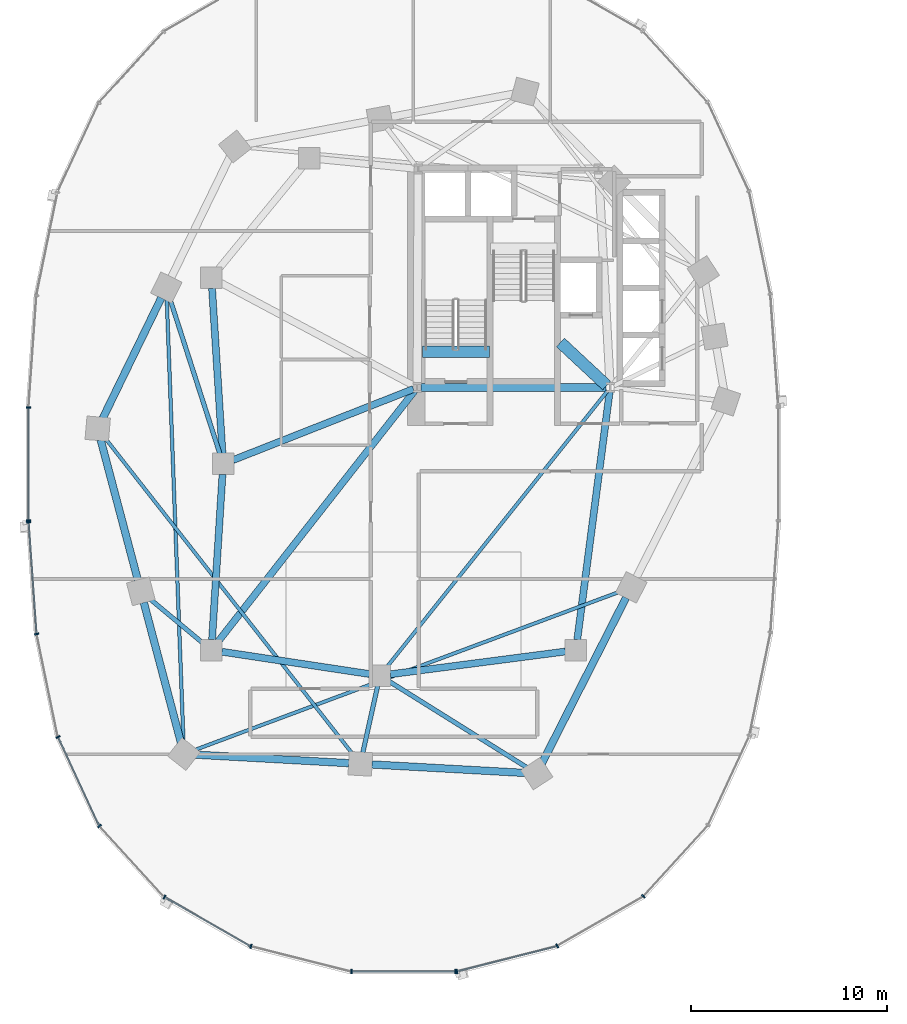
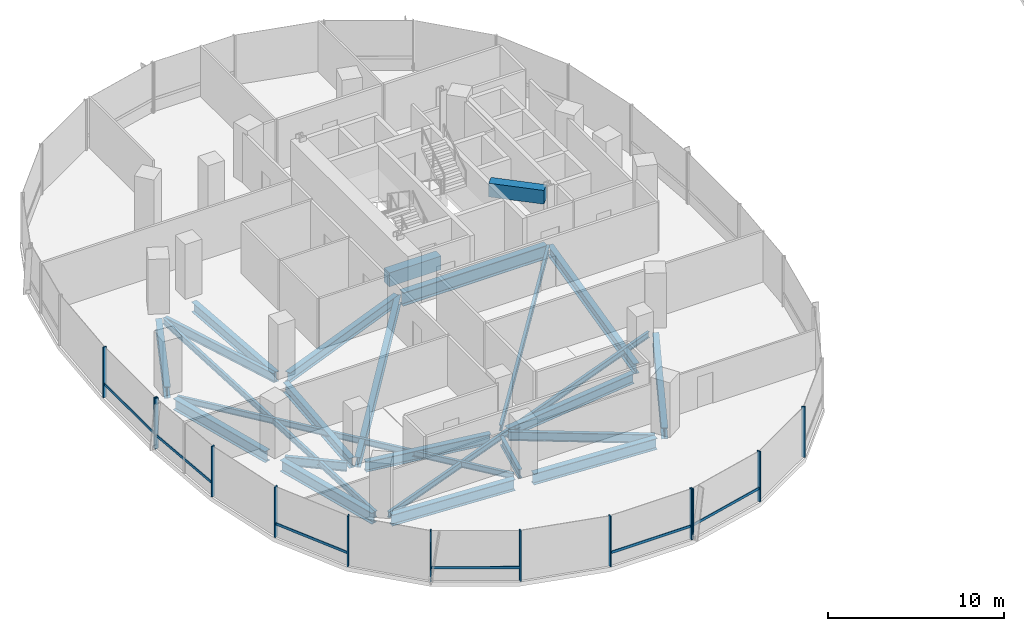
# One storey, part 2 of 21: 24 beams, 19 members, 3 elements without a shape of their own.
"""IFC4 building model written with IfcOpenShell, lengths in metres."""

from ifc_helpers import new_model, si_unit, direction, frame, origin, origin_2d, place, context, subcontext, project, spatial, rectangle, i_section, extrude, material, material_profile, profile_set, type_object, element, aggregate, save


model = new_model("IFC4")

# Units and contexts
model_context = context("Model", 3, precision=1e-05, world=origin(), true_north=direction((0.0, 1.0)))
body_context = subcontext(model_context, "Body", "Model", "MODEL_VIEW")
ifc_project = project(units=[si_unit("LENGTHUNIT", "METRE"), si_unit("AREAUNIT", "SQUARE_METRE"), si_unit("VOLUMEUNIT", "CUBIC_METRE"), si_unit("PLANEANGLEUNIT", "RADIAN"), si_unit("MASSUNIT", "GRAM", prefix="KILO"), si_unit("THERMODYNAMICTEMPERATUREUNIT", "KELVIN"), si_unit("POWERUNIT", "WATT")], contexts=[model_context])

# Site, building, storey
site_placement = place(None, origin())
site = spatial("IfcSite", under=ifc_project, at=site_placement, CompositionType="ELEMENT")
building_placement = place(site_placement, origin())
building = spatial("IfcBuilding", under=site, at=building_placement, Name="Cundina Bronze Exchange", CompositionType="ELEMENT")
storey_placement = place(building_placement, frame((0.0, 0.0, 58.199951171875)))
storey = spatial("IfcBuildingStorey", under=building, at=storey_placement, Name="L14", CompositionType="ELEMENT", Elevation=58.199951171875)

# Beams
ifc_material_1 = material(Name="Concrete C60/75", Category="concrete")
ifc_material_profile_1 = material_profile(ifc_material_1, rectangle(XDim=0.60009765625, YDim=0.949951171875, at=origin_2d()), Name="RC600X950", Category="concrete")
ifc_profile_set_1 = profile_set([ifc_material_profile_1], Name="Concrete C60/75")
beam_type_1 = type_object("IfcBeamType", Name="BM-COUP-RC950", PredefinedType="LINTEL", material=ifc_profile_set_1)
beam_1_placement = place(storey_placement, frame((-31.02001953125, 5.719970703125, -0.474853515625), z_axis=(1.0, 0.0, 0.0), x_axis=(0.0, 1.0, 0.0)))
element("IfcBeam", 1, at=beam_1_placement, inside=storey, type_object=beam_type_1, Name="L14 Stair W1 Landing Header Beam", PredefinedType="LINTEL", context=body_context, shape_type="SweptSolid", body=[
    extrude(rectangle(XDim=0.60009765625, YDim=0.949951171875, at=origin_2d()), origin(), (0.0, 0.0, 1.0), 3.39990234375),
])
beam_2_placement = place(storey_placement, frame((-23.989990234375, 6.199951171875, 3.025146484375), z_axis=(0.731490439815, -0.681851696822, 0.0), x_axis=(0.681851696822, 0.731490439815, 0.0)))
element("IfcBeam", 2, at=beam_2_placement, inside=storey, type_object=beam_type_1, Name="L14 W Core Shear Coupling Lintel Beam", PredefinedType="LINTEL", context=body_context, shape_type="SweptSolid", body=[
    extrude(rectangle(XDim=0.60009765625, YDim=0.949951171875, at=origin_2d()), origin(), (0.0, 0.0, 1.0), 3.226318359375),
])
ifc_material_2 = material(Name="Steel ASTM A992 Grade 50", Category="steel")
ifc_material_profile_2 = material_profile(ifc_material_2, i_section(OverallWidth=0.22998046875, OverallDepth=0.616943359375, WebThickness=0.01318359375, FlangeThickness=0.022216796875, FilletRadius=0.013916015625, at=origin_2d()), Name="W24X94", Category="steel")
ifc_profile_set_2 = profile_set([ifc_material_profile_2], Name="Steel ASTM A992 Grade 50")
beam_type_2 = type_object("IfcBeamType", Name="BM-FLR-W24B", PredefinedType="BEAM", material=ifc_profile_set_2)
beam_3_placement = place(storey_placement, frame((-41.364990234375, 0.51220703125, -0.6083984375), z_axis=(-0.306706454167, 0.951804155787, 0.0), x_axis=(-0.951804155787, -0.306706454167, 0.0)))
element("IfcBeam", 3, at=beam_3_placement, inside=storey, type_object=beam_type_2, Name="L14 Leg W Radial Floor Beam 07", PredefinedType="BEAM", context=body_context, shape_type="SweptSolid", body=[
    extrude(i_section(OverallWidth=0.22998046875, OverallDepth=0.616943359375, WebThickness=0.01318359375, FlangeThickness=0.022216796875, FilletRadius=0.013916015625, at=origin_2d()), origin(), (0.0, 0.0, 1.0), 8.329345703125),
])
beam_4_placement = place(storey_placement, frame((-42.21337890625, -9.155517578125, -0.6083984375), z_axis=(-0.768221279597, 0.640184399664, 0.0), x_axis=(-0.640184399664, -0.768221279597, 0.0)))
element("IfcBeam", 4, at=beam_4_placement, inside=storey, type_object=beam_type_2, Name="L14 Leg W Radial Floor Beam 09", PredefinedType="BEAM", context=body_context, shape_type="SweptSolid", body=[
    extrude(i_section(OverallWidth=0.22998046875, OverallDepth=0.616943359375, WebThickness=0.01318359375, FlangeThickness=0.022216796875, FilletRadius=0.013916015625, at=origin_2d()), origin(), (0.0, 0.0, 1.0), 3.56005859375),
])
beam_5_placement = place(storey_placement, frame((-33.316650390625, -11.3251953125, -0.6083984375), z_axis=(-0.216960137628, -0.976180464197, 0.0), x_axis=(0.976180464197, -0.216960137628, 0.0)))
element("IfcBeam", 5, at=beam_5_placement, inside=storey, type_object=beam_type_2, Name="L14 Leg W Radial Floor Beam 11", PredefinedType="BEAM", context=body_context, shape_type="SweptSolid", body=[
    extrude(i_section(OverallWidth=0.22998046875, OverallDepth=0.616943359375, WebThickness=0.01318359375, FlangeThickness=0.022216796875, FilletRadius=0.013916015625, at=origin_2d()), origin(), (0.0, 0.0, 1.0), 3.48388671875),
])
beam_6_placement = place(storey_placement, frame((-32.743896484375, -11.085205078125, -0.6083984375), z_axis=(0.848014812458, -0.529972525563, 0.0), x_axis=(0.529972525563, 0.848014812458, 0.0)))
element("IfcBeam", 6, at=beam_6_placement, inside=storey, type_object=beam_type_2, Name="L14 Leg W Radial Floor Beam 12", PredefinedType="BEAM", context=body_context, shape_type="SweptSolid", body=[
    extrude(i_section(OverallWidth=0.22998046875, OverallDepth=0.616943359375, WebThickness=0.01318359375, FlangeThickness=0.022216796875, FilletRadius=0.013916015625, at=origin_2d()), origin(), (0.0, 0.0, 1.0), 8.30810546875),
])
ifc_material_profile_3 = material_profile(ifc_material_2, i_section(OverallWidth=0.178955078125, OverallDepth=0.409912109375, WebThickness=0.0087890625, FlangeThickness=0.014404296875, FilletRadius=0.010986328125, at=origin_2d()), Name="W16X45", Category="steel")
ifc_profile_set_3 = profile_set([ifc_material_profile_3], Name="Steel ASTM A992 Grade 50")
beam_type_3 = type_object("IfcBeamType", Name="BM-JST-W16", PredefinedType="JOIST", material=ifc_profile_set_3)
beam_7_placement = place(storey_placement, frame((-21.577392578125, 3.740478515625, -0.5048828125), z_axis=(-0.62436887964, -0.781129632095, 0.0), x_axis=(0.781129632095, -0.62436887964, 0.0)))
element("IfcBeam", 7, at=beam_7_placement, inside=storey, type_object=beam_type_3, Name="L14 W Interior Core-to-Ring Joist 2", PredefinedType="JOIST", context=body_context, shape_type="SweptSolid", body=[
    extrude(i_section(OverallWidth=0.178955078125, OverallDepth=0.409912109375, WebThickness=0.0087890625, FlangeThickness=0.014404296875, FilletRadius=0.010986328125, at=origin_2d()), origin(), (0.0, 0.0, 1.0), 18.076904296875),
])
beam_8_placement = place(storey_placement, frame((-44.077880859375, 8.412353515625, -0.5048828125), z_axis=(0.037794949147, -0.999285515666, 0.0), x_axis=(0.999285515666, 0.037794949147, 0.0)))
element("IfcBeam", 8, at=beam_8_placement, inside=storey, type_object=beam_type_3, Name="L14 Leg W Lobe Floor Joist 07-10", PredefinedType="JOIST", context=body_context, shape_type="SweptSolid", body=[
    extrude(i_section(OverallWidth=0.178955078125, OverallDepth=0.409912109375, WebThickness=0.0087890625, FlangeThickness=0.014404296875, FilletRadius=0.010986328125, at=origin_2d()), origin(), (0.0, 0.0, 1.0), 22.640869140625),
])
beam_9_placement = place(storey_placement, frame((-47.2373046875, 1.337158203125, -0.5048828125), z_axis=(0.616803089524, -0.787117493614, 0.0), x_axis=(0.787117493614, 0.616803089524, 0.0)))
element("IfcBeam", 9, at=beam_9_placement, inside=storey, type_object=beam_type_3, Name="L14 Leg W Lobe Floor Joist 08-11", PredefinedType="JOIST", context=body_context, shape_type="SweptSolid", body=[
    extrude(i_section(OverallWidth=0.178955078125, OverallDepth=0.409912109375, WebThickness=0.0087890625, FlangeThickness=0.014404296875, FilletRadius=0.010986328125, at=origin_2d()), origin(), (0.0, 0.0, 1.0), 20.548828125),
])
beam_10_placement = place(storey_placement, frame((-42.64892578125, -14.5947265625, -0.5048828125), z_axis=(0.937127912449, 0.348986068074, 0.0), x_axis=(-0.348986068074, 0.937127912449, 0.0)))
element("IfcBeam", 10, at=beam_10_placement, inside=storey, type_object=beam_type_3, Name="L14 Leg W Lobe Floor Joist 10-13", PredefinedType="JOIST", context=body_context, shape_type="SweptSolid", body=[
    extrude(i_section(OverallWidth=0.178955078125, OverallDepth=0.409912109375, WebThickness=0.0087890625, FlangeThickness=0.014404296875, FilletRadius=0.010986328125, at=origin_2d()), origin(), (0.0, 0.0, 1.0), 23.18017578125),
])
ifc_material_profile_4 = material_profile(ifc_material_2, i_section(OverallWidth=0.35498046875, OverallDepth=0.695068359375, WebThickness=0.015380859375, FlangeThickness=0.02490234375, FilletRadius=0.01806640625, at=origin_2d()), Name="W27X146", Category="steel")
ifc_profile_set_4 = profile_set([ifc_material_profile_4], Name="Steel ASTM A992 Grade 50")
beam_type_4 = type_object("IfcBeamType", Name="BM-RING-W27", PredefinedType="USERDEFINED", material=ifc_profile_set_4)
for number, where, z_axis, x_axis, name in (
    (11, (-41.76611328125, 8.963134765625, -0.6474609375), (0.06303715519, -0.998011180832, 0.0), (0.998011180832, 0.06303715519, 0.0), "L14 W Inner Structural Ring Girder 03"),
    (12, (-41.23388671875, -0.536865234375, -0.6474609375), (-0.06303715519, -0.998011180832, 0.0), (0.998011180832, -0.06303715519, 0.0), "L14 W Inner Structural Ring Girder 04"),
):
    element("IfcBeam", number, at=place(storey_placement, frame(where, z_axis=z_axis, x_axis=x_axis)), inside=storey, type_object=beam_type_4, Name=name, ObjectType="GIRDER", PredefinedType="USERDEFINED", context=body_context, shape_type="SweptSolid", body=[
        extrude(i_section(OverallWidth=0.35498046875, OverallDepth=0.695068359375, WebThickness=0.015380859375, FlangeThickness=0.02490234375, FilletRadius=0.01806640625, at=origin_2d()), origin(), (0.0, 0.0, 1.0), 8.443115234375),
    ])
beam_11_placement = place(storey_placement, frame((-41.26806640625, -9.580322265625, -0.6474609375), z_axis=(0.988767489563, -0.149461873341, 0.0), x_axis=(0.149461873341, 0.988767489563, 0.0)))
element("IfcBeam", 13, at=beam_11_placement, inside=storey, type_object=beam_type_4, Name="L14 W Inner Structural Ring Girder 05", ObjectType="GIRDER", PredefinedType="USERDEFINED", context=body_context, shape_type="SweptSolid", body=[
    extrude(i_section(OverallWidth=0.35498046875, OverallDepth=0.695068359375, WebThickness=0.015380859375, FlangeThickness=0.02490234375, FilletRadius=0.01806640625, at=origin_2d()), origin(), (0.0, 0.0, 1.0), 7.621826171875),
])
beam_12_placement = place(storey_placement, frame((-32.66650390625, -10.730712890625, -0.6474609375), z_axis=(0.991654577907, 0.128923225666, 0.0), x_axis=(-0.128923225666, 0.991654577907, 0.0)))
element("IfcBeam", 14, at=beam_12_placement, inside=storey, type_object=beam_type_4, Name="L14 W Inner Structural Ring Girder 06", ObjectType="GIRDER", PredefinedType="USERDEFINED", context=body_context, shape_type="SweptSolid", body=[
    extrude(i_section(OverallWidth=0.35498046875, OverallDepth=0.695068359375, WebThickness=0.015380859375, FlangeThickness=0.02490234375, FilletRadius=0.01806640625, at=origin_2d()), origin(), (0.0, 0.0, 1.0), 9.00830078125),
])
beam_13_placement = place(storey_placement, frame((-23.13037109375, -8.966552734375, -0.6474609375), z_axis=(0.129507526533, 0.99157843894, 0.0), x_axis=(-0.99157843894, 0.129507526533, 0.0)))
element("IfcBeam", 15, at=beam_13_placement, inside=storey, type_object=beam_type_4, Name="L14 W Inner Structural Ring Girder 07", ObjectType="GIRDER", PredefinedType="USERDEFINED", context=body_context, shape_type="SweptSolid", body=[
    extrude(i_section(OverallWidth=0.35498046875, OverallDepth=0.695068359375, WebThickness=0.015380859375, FlangeThickness=0.02490234375, FilletRadius=0.01806640625, at=origin_2d()), origin(), (0.0, 0.0, 1.0), 12.77197265625),
])
beam_14_placement = place(storey_placement, frame((-31.48974609375, 3.8251953125, -0.6474609375), z_axis=(-0.930413235418, -0.366512225388, 0.0), x_axis=(0.366512225388, -0.930413235418, 0.0)))
element("IfcBeam", 16, at=beam_14_placement, inside=storey, type_object=beam_type_4, Name="L14 W Core-to-Waist Tie Beam 1", ObjectType="GIRDER", PredefinedType="USERDEFINED", context=body_context, shape_type="SweptSolid", body=[
    extrude(i_section(OverallWidth=0.35498046875, OverallDepth=0.695068359375, WebThickness=0.015380859375, FlangeThickness=0.02490234375, FilletRadius=0.01806640625, at=origin_2d()), origin(), (0.0, 0.0, 1.0), 9.8984375),
])
beam_15_placement = place(storey_placement, frame((-31.42578125, 3.739501953125, -0.6474609375), z_axis=(-0.616789275748, -0.787128318206, 0.0), x_axis=(0.787128318206, -0.616789275748, 0.0)))
element("IfcBeam", 17, at=beam_15_placement, inside=storey, type_object=beam_type_4, Name="L14 W Core-to-Waist Tie Beam 3", ObjectType="GIRDER", PredefinedType="USERDEFINED", context=body_context, shape_type="SweptSolid", body=[
    extrude(i_section(OverallWidth=0.35498046875, OverallDepth=0.695068359375, WebThickness=0.015380859375, FlangeThickness=0.02490234375, FilletRadius=0.01806640625, at=origin_2d()), origin(), (0.0, 0.0, 1.0), 16.281982421875),
])
ifc_material_profile_5 = material_profile(ifc_material_2, i_section(OverallWidth=0.381103515625, OverallDepth=0.77294921875, WebThickness=0.0166015625, FlangeThickness=0.027099609375, FilletRadius=0.01904296875, at=origin_2d()), Name="W30X173", Category="steel")
ifc_profile_set_5 = profile_set([ifc_material_profile_5], Name="Steel ASTM A992 Grade 50")
beam_type_5 = type_object("IfcBeamType", Name="BM-RING-W30", PredefinedType="USERDEFINED", material=ifc_profile_set_5)
beam_16_placement = place(storey_placement, frame((-44.357177734375, 8.47119140625, -0.6865234375), z_axis=(-0.437190698904, -0.899368830231, 0.0), x_axis=(0.899368830231, -0.437190698904, 0.0)))
element("IfcBeam", 18, at=beam_16_placement, inside=storey, type_object=beam_type_5, Name="L14 W Perimeter Ring Girder 07", ObjectType="GIRDER", PredefinedType="USERDEFINED", context=body_context, shape_type="SweptSolid", body=[
    extrude(i_section(OverallWidth=0.381103515625, OverallDepth=0.77294921875, WebThickness=0.0166015625, FlangeThickness=0.027099609375, FilletRadius=0.01904296875, at=origin_2d()), origin(), (0.0, 0.0, 1.0), 6.82958984375),
])
for number, where, z_axis, x_axis, name in (
    (19, (-47.44921875, 1.231689453125, -0.6865234375), (0.256177785604, -0.966629682021, 0.0), (0.966629682021, 0.256177785604, 0.0), "L14 W Perimeter Ring Girder 08"),
    (20, (-45.249267578125, -7.068359375, -0.6865234375), (0.256208567826, -0.966621523541, 0.0), (0.966621523541, 0.256208567826, 0.0), "L14 W Perimeter Ring Girder 09"),
):
    element("IfcBeam", number, at=place(storey_placement, frame(where, z_axis=z_axis, x_axis=x_axis)), inside=storey, type_object=beam_type_5, Name=name, ObjectType="GIRDER", PredefinedType="USERDEFINED", context=body_context, shape_type="SweptSolid", body=[
        extrude(i_section(OverallWidth=0.381103515625, OverallDepth=0.77294921875, WebThickness=0.0166015625, FlangeThickness=0.027099609375, FilletRadius=0.01904296875, at=origin_2d()), origin(), (0.0, 0.0, 1.0), 7.41064453125),
    ])
for number, where, z_axis, x_axis, name in (
    (21, (-42.61279296875, -14.83251953125, -0.6865234375), (0.998459969805, -0.055476920391, 0.0), (0.055476920391, 0.998459969805, 0.0), "L14 W Perimeter Ring Girder 10"),
    (22, (-33.61279296875, -15.33251953125, -0.6865234375), (0.998459969805, -0.055476920391, 0.0), (0.055476920391, 0.998459969805, 0.0), "L14 W Perimeter Ring Girder 11"),
):
    element("IfcBeam", number, at=place(storey_placement, frame(where, z_axis=z_axis, x_axis=x_axis)), inside=storey, type_object=beam_type_5, Name=name, ObjectType="GIRDER", PredefinedType="USERDEFINED", context=body_context, shape_type="SweptSolid", body=[
        extrude(i_section(OverallWidth=0.381103515625, OverallDepth=0.77294921875, WebThickness=0.0166015625, FlangeThickness=0.027099609375, FilletRadius=0.01904296875, at=origin_2d()), origin(), (0.0, 0.0, 1.0), 7.837646484375),
    ])
beam_17_placement = place(storey_placement, frame((-24.93359375, -15.275634765625, -0.6865234375), z_axis=(0.452819633606, 0.891602141889, 0.0), x_axis=(-0.891602141889, 0.452819633606, 0.0)))
element("IfcBeam", 23, at=beam_17_placement, inside=storey, type_object=beam_type_5, Name="L14 W Perimeter Ring Girder 12", ObjectType="GIRDER", PredefinedType="USERDEFINED", context=body_context, shape_type="SweptSolid", body=[
    extrude(i_section(OverallWidth=0.381103515625, OverallDepth=0.77294921875, WebThickness=0.0166015625, FlangeThickness=0.027099609375, FilletRadius=0.01904296875, at=origin_2d()), origin(), (0.0, 0.0, 1.0), 9.47900390625),
])
ifc_material_profile_6 = material_profile(ifc_material_2, i_section(OverallWidth=0.41796875, OverallDepth=0.927001953125, WebThickness=0.019287109375, FlangeThickness=0.031982421875, FilletRadius=0.02392578125, at=origin_2d()), Name="W36X231", Category="steel")
ifc_profile_set_6 = profile_set([ifc_material_profile_6], Name="Steel ASTM A992 Grade 50")
beam_type_6 = type_object("IfcBeamType", Name="BM-WRN-W36B", PredefinedType="USERDEFINED", material=ifc_profile_set_6)
beam_18_placement = place(storey_placement, frame((-31.095947265625, 3.89990234375, -0.763427734375), z_axis=(1.0, 0.0, 0.0), x_axis=(0.0, 1.0, 0.0)))
element("IfcBeam", 24, at=beam_18_placement, inside=storey, type_object=beam_type_6, Name="L14 W Core Perimeter Tie Girder 1", ObjectType="GIRDER", PredefinedType="USERDEFINED", context=body_context, shape_type="SweptSolid", body=[
    extrude(i_section(OverallWidth=0.41796875, OverallDepth=0.927001953125, WebThickness=0.019287109375, FlangeThickness=0.031982421875, FilletRadius=0.02392578125, at=origin_2d()), origin(), (0.0, 0.0, 1.0), 9.44189453125),
])

# Curtain wall, members
ifc_material_3 = material(Name="Anodised Bronze Aluminium 6063-T6", Category="aluminium")
curtain_wall_type = type_object("IfcCurtainWallType", Name="CWS-TRD-LOW", PredefinedType="NOTDEFINED", material=ifc_material_3)
curtain_wall_1_placement = place(storey_placement, origin())
curtain_wall_1 = element("IfcCurtainWall", 25, at=curtain_wall_1_placement, inside=storey, type_object=curtain_wall_type, Name="L14 CW-02 Curtain Wall Run CWR-L14-W2", PredefinedType="NOTDEFINED")
ifc_material_profile_7 = material_profile(ifc_material_3, rectangle(XDim=0.074951171875, YDim=0.219970703125, at=origin_2d()), Name="AL75X220", Category="aluminium")
ifc_profile_set_7 = profile_set([ifc_material_profile_7], Name="Anodised Bronze Aluminium 6063-T6")
member_type_1 = type_object("IfcMemberType", Name="CWM-MUL-220", PredefinedType="MULLION", material=ifc_profile_set_7)
member_1_placement = place(storey_placement, frame((-51.1279296875, 2.880615234375, 0.0), z_axis=(0.0, 0.0, 1.0), x_axis=(0.0, -1.0, 0.0)))
member_1 = element("IfcMember", 26, at=member_1_placement, type_object=member_type_1, Name="CW-02 Mullion 7", PredefinedType="MULLION", context=body_context, shape_type="SweptSolid", body=[
    extrude(rectangle(XDim=0.074951171875, YDim=0.219970703125, at=origin_2d()), origin(), (0.0, 0.0, 1.0), 3.5),
])
member_2_placement = place(storey_placement, frame((-51.1279296875, -2.880615234375, 0.0), z_axis=(0.0, 0.0, 1.0), x_axis=(0.0, -1.0, 0.0)))
member_2 = element("IfcMember", 27, at=member_2_placement, type_object=member_type_1, Name="CW-02 End Mullion", PredefinedType="MULLION", context=body_context, shape_type="SweptSolid", body=[
    extrude(rectangle(XDim=0.074951171875, YDim=0.219970703125, at=origin_2d()), origin(), (0.0, 0.0, 1.0), 3.5),
])

curtain_wall_2_placement = place(storey_placement, origin())
curtain_wall_2 = element("IfcCurtainWall", 28, at=curtain_wall_2_placement, inside=storey, type_object=curtain_wall_type, Name="L14 CW-02 Curtain Wall Run CWR-L14-W3", PredefinedType="NOTDEFINED")
member_3_placement = place(storey_placement, frame((-51.12451171875, -2.976318359375, 0.0), z_axis=(0.0, 0.0, 1.0), x_axis=(0.070278787473, -0.997527389113, 0.0)))
member_3 = element("IfcMember", 29, at=member_3_placement, type_object=member_type_1, Name="CW-02 Mullion 1", PredefinedType="MULLION", context=body_context, shape_type="SweptSolid", body=[
    extrude(rectangle(XDim=0.074951171875, YDim=0.219970703125, at=origin_2d()), origin(), (0.0, 0.0, 1.0), 3.5),
])
member_4_placement = place(storey_placement, frame((-50.717041015625, -8.67822265625, 0.0), z_axis=(0.0, 0.0, 1.0), x_axis=(0.201419845156, -0.979505000486, 0.0)))
member_4 = element("IfcMember", 30, at=member_4_placement, type_object=member_type_1, Name="CW-02 Mullion 2", PredefinedType="MULLION", context=body_context, shape_type="SweptSolid", body=[
    extrude(rectangle(XDim=0.074951171875, YDim=0.219970703125, at=origin_2d()), origin(), (0.0, 0.0, 1.0), 3.5),
])
member_5_placement = place(storey_placement, frame((-49.6279296875, -13.931884765625, 0.0), z_axis=(0.0, 0.0, 1.0), x_axis=(0.42087749791, -0.907117485088, 0.0)))
member_5 = element("IfcMember", 31, at=member_5_placement, type_object=member_type_1, Name="CW-02 Mullion 3", PredefinedType="MULLION", context=body_context, shape_type="SweptSolid", body=[
    extrude(rectangle(XDim=0.074951171875, YDim=0.219970703125, at=origin_2d()), origin(), (0.0, 0.0, 1.0), 3.5),
])
member_6_placement = place(storey_placement, frame((-47.508544921875, -18.47705078125, 0.0), z_axis=(0.0, 0.0, 1.0), x_axis=(0.674302387584, -0.738455340626, 0.0)))
member_6 = element("IfcMember", 32, at=member_6_placement, type_object=member_type_1, Name="CW-02 Mullion 4", PredefinedType="MULLION", context=body_context, shape_type="SweptSolid", body=[
    extrude(rectangle(XDim=0.074951171875, YDim=0.219970703125, at=origin_2d()), origin(), (0.0, 0.0, 1.0), 3.5),
])
member_7_placement = place(storey_placement, frame((-44.189697265625, -22.097412109375, 0.0), z_axis=(0.0, 0.0, 1.0), x_axis=(0.867070701164, -0.498185105339, 0.0)))
member_7 = element("IfcMember", 33, at=member_7_placement, type_object=member_type_1, Name="CW-02 Mullion 5", PredefinedType="MULLION", context=body_context, shape_type="SweptSolid", body=[
    extrude(rectangle(XDim=0.074951171875, YDim=0.219970703125, at=origin_2d()), origin(), (0.0, 0.0, 1.0), 3.5),
])
member_8_placement = place(storey_placement, frame((-39.78515625, -24.61669921875, 0.0), z_axis=(0.0, 0.0, 1.0), x_axis=(0.969488149345, -0.245138182011, 0.0)))
member_8 = element("IfcMember", 34, at=member_8_placement, type_object=member_type_1, Name="CW-02 Mullion 6", PredefinedType="MULLION", context=body_context, shape_type="SweptSolid", body=[
    extrude(rectangle(XDim=0.074951171875, YDim=0.219970703125, at=origin_2d()), origin(), (0.0, 0.0, 1.0), 3.5),
])
member_9_placement = place(storey_placement, frame((-34.654541015625, -25.905029296875, 0.0), z_axis=(0.0, 0.0, 1.0), x_axis=(1.0, 0.0, 0.0)))
member_9 = element("IfcMember", 35, at=member_9_placement, type_object=member_type_1, Name="CW-02 Mullion 7", PredefinedType="MULLION", context=body_context, shape_type="SweptSolid", body=[
    extrude(rectangle(XDim=0.074951171875, YDim=0.219970703125, at=origin_2d()), origin(), (0.0, 0.0, 1.0), 3.5),
])
member_10_placement = place(storey_placement, frame((-29.345458984375, -25.905029296875, 0.0), z_axis=(0.0, 0.0, 1.0), x_axis=(1.0, 0.0, 0.0)))
member_10 = element("IfcMember", 36, at=member_10_placement, type_object=member_type_1, Name="CW-02 End Mullion", PredefinedType="MULLION", context=body_context, shape_type="SweptSolid", body=[
    extrude(rectangle(XDim=0.074951171875, YDim=0.219970703125, at=origin_2d()), origin(), (0.0, 0.0, 1.0), 3.5),
])

curtain_wall_3_placement = place(storey_placement, origin())
curtain_wall_3 = element("IfcCurtainWall", 37, at=curtain_wall_3_placement, inside=storey, type_object=curtain_wall_type, Name="L14 CW-02 Curtain Wall Run CWR-L14-W4", PredefinedType="NOTDEFINED")
member_11_placement = place(storey_placement, frame((-29.27392578125, -25.89599609375, 0.0), z_axis=(0.0, 0.0, 1.0), x_axis=(0.969488149345, 0.245138182011, 0.0)))
member_11 = element("IfcMember", 38, at=member_11_placement, type_object=member_type_1, Name="CW-02 Mullion 1", PredefinedType="MULLION", context=body_context, shape_type="SweptSolid", body=[
    extrude(rectangle(XDim=0.074951171875, YDim=0.219970703125, at=origin_2d()), origin(), (0.0, 0.0, 1.0), 3.5),
])
member_12_placement = place(storey_placement, frame((-24.151123046875, -24.591064453125, 0.0), z_axis=(0.0, 0.0, 1.0), x_axis=(0.867070701164, 0.498185105339, 0.0)))
member_12 = element("IfcMember", 39, at=member_12_placement, type_object=member_type_1, Name="CW-02 Mullion 2", PredefinedType="MULLION", context=body_context, shape_type="SweptSolid", body=[
    extrude(rectangle(XDim=0.074951171875, YDim=0.219970703125, at=origin_2d()), origin(), (0.0, 0.0, 1.0), 3.5),
])
member_13_placement = place(storey_placement, frame((-19.760498046875, -22.0576171875, 0.0), z_axis=(0.0, 0.0, 1.0), x_axis=(0.674302387584, 0.738455340626, 0.0)))
member_13 = element("IfcMember", 40, at=member_13_placement, type_object=member_type_1, Name="CW-02 Mullion 3", PredefinedType="MULLION", context=body_context, shape_type="SweptSolid", body=[
    extrude(rectangle(XDim=0.074951171875, YDim=0.219970703125, at=origin_2d()), origin(), (0.0, 0.0, 1.0), 3.5),
])

# Member
ifc_material_profile_8 = material_profile(ifc_material_3, rectangle(XDim=0.070068359375, YDim=0.179931640625, at=origin_2d()), Name="AL70X180", Category="aluminium")
ifc_profile_set_8 = profile_set([ifc_material_profile_8], Name="Anodised Bronze Aluminium 6063-T6")
member_type_2 = type_object("IfcMemberType", Name="CWM-TRN-180", PredefinedType="USERDEFINED", material=ifc_profile_set_8)
member_14_placement = place(storey_placement, frame((-51.1279296875, 2.839111328125, 0.920166015625), z_axis=(0.0, -1.0, 0.0), x_axis=(1.0, 0.0, 0.0)))
member_14 = element("IfcMember", 41, at=member_14_placement, type_object=member_type_2, Name="CW-02 Spandrel Transom 7", ObjectType="TRANSOM", PredefinedType="USERDEFINED", context=body_context, shape_type="SweptSolid", body=[
    extrude(rectangle(XDim=0.070068359375, YDim=0.179931640625, at=origin_2d()), origin(), (0.0, 0.0, 1.0), 5.67822265625),
])

aggregate(curtain_wall_1, [member_1, member_2, member_14])

member_15_placement = place(storey_placement, frame((-51.12158203125, -3.017333984375, 0.920166015625), z_axis=(0.070260714471, -0.997528662246, 0.0), x_axis=(0.997528662246, 0.070260714471, 0.0)))
member_15 = element("IfcMember", 42, at=member_15_placement, type_object=member_type_2, Name="CW-02 Spandrel Transom 1", ObjectType="TRANSOM", PredefinedType="USERDEFINED", context=body_context, shape_type="SweptSolid", body=[
    extrude(rectangle(XDim=0.070068359375, YDim=0.179931640625, at=origin_2d()), origin(), (0.0, 0.0, 1.0), 5.629150390625),
])

member_16_placement = place(storey_placement, frame((-49.610595703125, -13.96923828125, 0.920166015625), z_axis=(0.420811422796, -0.907148139195, 0.0), x_axis=(0.907148139195, 0.420811422796, 0.0)))
member_16 = element("IfcMember", 43, at=member_16_placement, type_object=member_type_2, Name="CW-02 Spandrel Transom 3", ObjectType="TRANSOM", PredefinedType="USERDEFINED", context=body_context, shape_type="SweptSolid", body=[
    extrude(rectangle(XDim=0.070068359375, YDim=0.179931640625, at=origin_2d()), origin(), (0.0, 0.0, 1.0), 4.95166015625),
])

member_17_placement = place(storey_placement, frame((-44.154052734375, -22.117919921875, 0.920166015625), z_axis=(0.867097475651, -0.498138502546, 0.0), x_axis=(0.498138502546, 0.867097475651, 0.0)))
member_17 = element("IfcMember", 44, at=member_17_placement, type_object=member_type_2, Name="CW-02 Spandrel Transom 5", ObjectType="TRANSOM", PredefinedType="USERDEFINED", context=body_context, shape_type="SweptSolid", body=[
    extrude(rectangle(XDim=0.070068359375, YDim=0.179931640625, at=origin_2d()), origin(), (0.0, 0.0, 1.0), 5.00634765625),
])

member_18_placement = place(storey_placement, frame((-34.61328125, -25.905029296875, 0.920166015625), z_axis=(1.0, 0.0, 0.0), x_axis=(0.0, 1.0, 0.0)))
member_18 = element("IfcMember", 45, at=member_18_placement, type_object=member_type_2, Name="CW-02 Spandrel Transom 7", ObjectType="TRANSOM", PredefinedType="USERDEFINED", context=body_context, shape_type="SweptSolid", body=[
    extrude(rectangle(XDim=0.070068359375, YDim=0.179931640625, at=origin_2d()), origin(), (0.0, 0.0, 1.0), 5.2265625),
])

aggregate(curtain_wall_2, [member_3, member_15, member_4, member_5, member_16, member_6, member_7, member_17, member_8, member_9, member_10, member_18])

member_19_placement = place(storey_placement, frame((-29.23388671875, -25.885986328125, 0.920166015625), z_axis=(0.969483968866, 0.245154714644, 0.0), x_axis=(-0.245154714644, 0.969483968866, 0.0)))
member_19 = element("IfcMember", 46, at=member_19_placement, type_object=member_type_2, Name="CW-02 Spandrel Transom 1", ObjectType="TRANSOM", PredefinedType="USERDEFINED", context=body_context, shape_type="SweptSolid", body=[
    extrude(rectangle(XDim=0.070068359375, YDim=0.179931640625, at=origin_2d()), origin(), (0.0, 0.0, 1.0), 5.21826171875),
])

aggregate(curtain_wall_3, [member_11, member_19, member_12, member_13])

save(model, "model.ifc")
